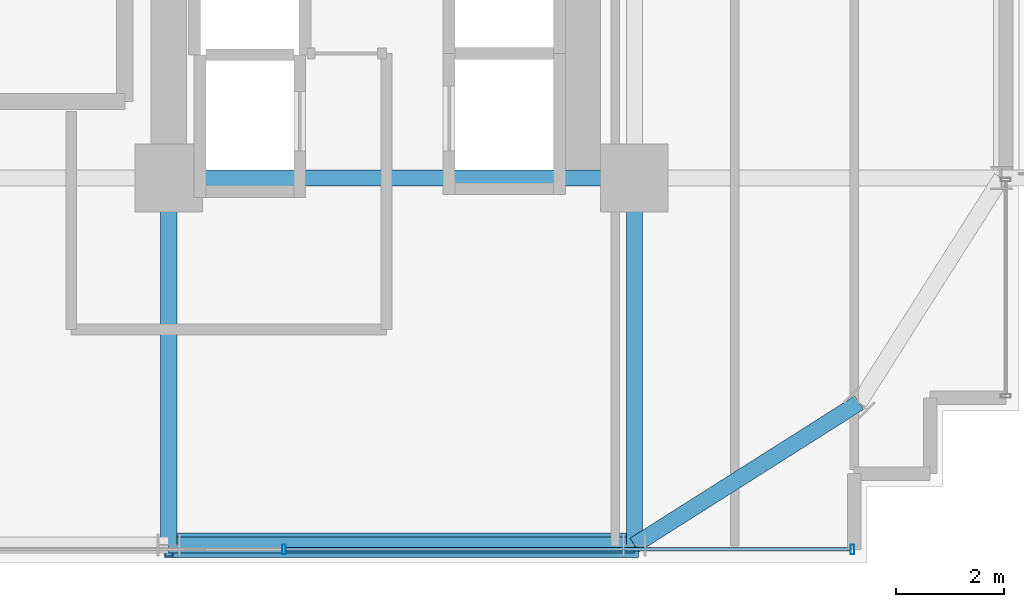
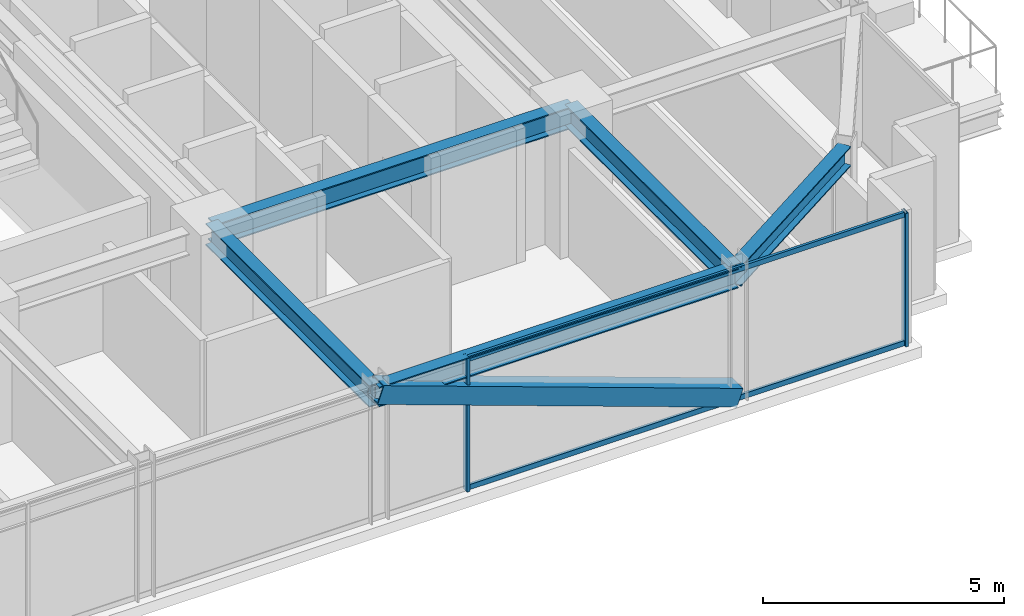
# One storey, part 10 of 34: 5 beams, 5 members, 1 element without a shape of its own.
"""IFC4 building model written with IfcOpenShell, lengths in metres."""

from ifc_helpers import new_model, si_unit, direction, frame, origin, origin_2d, place, context, subcontext, project, spatial, hollow_rectangle, i_section, extrude, source, transform, mapped, material, material_profile, profile_set, type_object, element, aggregate, save


model = new_model("IFC4")

# Units and contexts
model_context = context("Model", 3, precision=1e-05, world=origin(), true_north=direction((0.0, 1.0)))
body_context = subcontext(model_context, "Body", "Model", "MODEL_VIEW")
ifc_project = project(units=[si_unit("LENGTHUNIT", "METRE"), si_unit("AREAUNIT", "SQUARE_METRE"), si_unit("VOLUMEUNIT", "CUBIC_METRE"), si_unit("PLANEANGLEUNIT", "RADIAN"), si_unit("MASSUNIT", "GRAM", prefix="KILO")], contexts=[model_context])

# Site, building, storey
site_placement = place(None, origin())
site = spatial("IfcSite", under=ifc_project, at=site_placement, CompositionType="ELEMENT")
building_placement = place(site_placement, origin())
building = spatial("IfcBuilding", under=site, at=building_placement, Name="Nahalor Promenade Grand Hotel", CompositionType="ELEMENT")
storey_placement = place(building_placement, frame((0.0, 0.0, 99.25)))
storey = spatial("IfcBuildingStorey", under=building, at=storey_placement, Name="L24", CompositionType="ELEMENT", Elevation=99.25)

# Beams
ifc_material_1 = material(Name="Steel S355JR", Category="steel")
ifc_material_profile_1 = material_profile(ifc_material_1, i_section(OverallWidth=0.3, OverallDepth=0.5, WebThickness=0.0145, FlangeThickness=0.028, at=origin_2d()), Name="HEB 500")
ifc_profile_set_1 = profile_set([ifc_material_profile_1], Name="Steel S355JR")
beam_type_1 = type_object("IfcBeamType", Name="Beam-Spandrel-HEB500", PredefinedType="SPANDREL", material=ifc_profile_set_1)
shared_shape_1 = source(origin(), body_context, "Body", "SweptSolid", [
    extrude(i_section(OverallWidth=0.3, OverallDepth=0.5, WebThickness=0.0145, FlangeThickness=0.028, at=origin_2d()), origin(), (0.0, 0.0, 1.0), 8.60009765625),
])
beam_1_placement = place(storey_placement, frame((8.39990234375, -23.780029296875, 3.1298828125), z_axis=(1.0, 0.0, 0.0), x_axis=(0.0, 1.0, 0.0)))
element("IfcBeam", 1, at=beam_1_placement, inside=storey, type_object=beam_type_1, Name="BM-L24-SP-S-4", PredefinedType="SPANDREL", context=body_context, shape_type="MappedRepresentation", body=[
    mapped(shared_shape_1, transform((0.0, 0.0, 0.0), scale=1.0)),
])
shared_shape_2 = source(origin(), body_context, "Body", "SweptSolid", [
    extrude(i_section(OverallWidth=0.3, OverallDepth=0.5, WebThickness=0.0145, FlangeThickness=0.028, at=origin_2d()), origin(), (0.0, 0.0, 1.0), 4.9130859375),
])
beam_2_placement = place(storey_placement, frame((17.0, -23.780029296875, 3.1298828125), z_axis=(0.844648325505, 0.535321591403, 0.0), x_axis=(-0.535321591403, 0.844648325505, 0.0)))
element("IfcBeam", 2, at=beam_2_placement, inside=storey, type_object=beam_type_1, Name="BM-L24-SPC-SE-1", PredefinedType="SPANDREL", context=body_context, shape_type="MappedRepresentation", body=[
    mapped(shared_shape_2, transform((0.0, 0.0, 0.0), scale=1.0)),
])
ifc_material_profile_2 = material_profile(ifc_material_1, i_section(OverallWidth=0.3, OverallDepth=0.55, WebThickness=0.015, FlangeThickness=0.029, at=origin_2d()), Name="HEB 550")
ifc_profile_set_2 = profile_set([ifc_material_profile_2], Name="Steel S355JR")
beam_type_2 = type_object("IfcBeamType", Name="Beam-Girder-HEB550", PredefinedType="BEAM", material=ifc_profile_set_2)
shared_shape_3 = source(origin(), body_context, "Body", "SweptSolid", [
    extrude(i_section(OverallWidth=0.3, OverallDepth=0.55, WebThickness=0.015, FlangeThickness=0.029, at=origin_2d()), origin(), (0.0, 0.0, 1.0), 6.780029296875),
])
for number, where, z_axis, x_axis, name in (
    (3, (8.39990234375, -23.780029296875, 3.10498046875), (0.0, 1.0, 0.0), (-1.0, 0.0, 0.0), "BM-L24-GY-4-0"),
    (4, (17.0, -23.780029296875, 3.10498046875), (0.0, 1.0, 0.0), (-1.0, 0.0, 0.0), "BM-L24-GY-5-0"),
):
    element("IfcBeam", number, at=place(storey_placement, frame(where, z_axis=z_axis, x_axis=x_axis)), inside=storey, type_object=beam_type_2, Name=name, PredefinedType="BEAM", context=body_context, shape_type="MappedRepresentation", body=[
        mapped(shared_shape_3, transform((0.0, 0.0, 0.0), scale=1.0)),
    ])
shared_shape_4 = source(origin(), body_context, "Body", "SweptSolid", [
    extrude(i_section(OverallWidth=0.3, OverallDepth=0.55, WebThickness=0.015, FlangeThickness=0.029, at=origin_2d()), origin(), (0.0, 0.0, 1.0), 8.60009765625),
])
beam_3_placement = place(storey_placement, frame((8.39990234375, -17.0, 3.10498046875), z_axis=(1.0, 0.0, 0.0), x_axis=(0.0, 1.0, 0.0)))
element("IfcBeam", 5, at=beam_3_placement, inside=storey, type_object=beam_type_2, Name="BM-L24-GX-0-5", PredefinedType="BEAM", context=body_context, shape_type="MappedRepresentation", body=[
    mapped(shared_shape_4, transform((0.0, 0.0, 0.0), scale=1.0)),
])

# Member
ifc_material_2 = material(Name="Steel S355J2", Category="steel")
ifc_material_profile_3 = material_profile(ifc_material_2, hollow_rectangle(XDim=0.45, YDim=0.45, WallThickness=0.025, at=origin_2d()), Name="SHS 450x450x25")
ifc_profile_set_3 = profile_set([ifc_material_profile_3], Name="Steel S355J2")
member_type_1 = type_object("IfcMemberType", Name="Mem-ExoBrace-SHS450", PredefinedType="BRACE", material=ifc_profile_set_3)
shared_shape_5 = source(origin(), body_context, "Body", "SweptSolid", [
    extrude(hollow_rectangle(XDim=0.45, YDim=0.45, WallThickness=0.025, at=origin_2d()), origin(), (0.0, 0.0, 1.0), 9.135009765625),
])
member_1_placement = place(storey_placement, frame((17.0, -23.780029296875, 0.14990234375), z_axis=(-0.941442840152, 0.0, 0.337172624521), x_axis=(0.0, -1.0, 0.0)))
element("IfcMember", 6, at=member_1_placement, inside=storey, type_object=member_type_1, Name="EXO-L24-S-1", PredefinedType="BRACE", context=body_context, shape_type="MappedRepresentation", body=[
    mapped(shared_shape_5, transform((0.0, 0.0, 0.0), scale=1.0)),
])

# Curtain wall, members
ifc_material_3 = material(Name="Anodised Bronze Aluminium EN AW-6063 T6", Category="aluminium")
curtain_wall_type = type_object("IfcCurtainWallType", Name="CW2 Typical Hotel Flush Bronze Unitised Curtain Wall", PredefinedType="USERDEFINED", material=ifc_material_3)
curtain_wall_placement = place(storey_placement, origin())
curtain_wall = element("IfcCurtainWall", 7, at=curtain_wall_placement, inside=storey, type_object=curtain_wall_type, Name="L24 Curtain Wall CW-L24-S-1", ObjectType="UNITISED_CURTAIN_WALL", PredefinedType="USERDEFINED")
ifc_material_profile_4 = material_profile(ifc_material_3, hollow_rectangle(XDim=0.065, YDim=0.18, WallThickness=0.004, at=origin_2d()), Name="CWM 65x180x4")
ifc_profile_set_4 = profile_set([ifc_material_profile_4], Name="Anodised Bronze Aluminium EN AW-6063 T6")
member_type_2 = type_object("IfcMemberType", Name="CWM2 Typical Bronze Mullion 65x180", PredefinedType="MULLION", material=ifc_profile_set_4)
shared_shape_6 = source(origin(), body_context, "Body", "SweptSolid", [
    extrude(hollow_rectangle(XDim=0.065, YDim=0.18, WallThickness=0.004, at=origin_2d()), origin(), (0.0, 0.0, 1.0), 3.3798828125),
])
member_2_placement = place(storey_placement, frame((10.530029296875, -23.860107421875, 0.0), z_axis=(0.0, 0.0, 1.0), x_axis=(1.0, 0.0, 0.0)))
member_2 = element("IfcMember", 8, at=member_2_placement, type_object=member_type_2, Name="CW-L24-S-1 Mullion 3", PredefinedType="MULLION", context=body_context, shape_type="MappedRepresentation", body=[
    mapped(shared_shape_6, transform((0.0, 0.0, 0.0), scale=1.0)),
])
member_3_placement = place(storey_placement, frame((21.027587890625, -23.860107421875, 0.0), z_axis=(0.0, 0.0, 1.0), x_axis=(1.0, 0.0, 0.0)))
member_3 = element("IfcMember", 9, at=member_3_placement, type_object=member_type_2, Name="CW-L24-S-1 Mullion 4", PredefinedType="MULLION", context=body_context, shape_type="MappedRepresentation", body=[
    mapped(shared_shape_6, transform((0.0, 0.0, 0.0), scale=1.0)),
])
ifc_material_profile_5 = material_profile(ifc_material_3, hollow_rectangle(XDim=0.065, YDim=0.13, WallThickness=0.004, at=origin_2d()), Name="CWT 65x130x4")
ifc_profile_set_5 = profile_set([ifc_material_profile_5], Name="Anodised Bronze Aluminium EN AW-6063 T6")
member_type_3 = type_object("IfcMemberType", Name="CWT2 Typical Bronze Transom 65x130", PredefinedType="USERDEFINED", material=ifc_profile_set_5)
shared_shape_7 = source(origin(), body_context, "Body", "SweptSolid", [
    extrude(hollow_rectangle(XDim=0.065, YDim=0.13, WallThickness=0.004, at=origin_2d()), origin(), (0.0, 0.0, 1.0), 10.4326171875),
])
member_4_placement = place(storey_placement, frame((10.5625, -23.860107421875, 0.06494140625), z_axis=(1.0, 0.0, 0.0), x_axis=(0.0, 1.0, 0.0)))
member_4 = element("IfcMember", 10, at=member_4_placement, type_object=member_type_3, Name="CW-L24-S-1 Transom 3-0", ObjectType="TRANSOM", PredefinedType="USERDEFINED", context=body_context, shape_type="MappedRepresentation", body=[
    mapped(shared_shape_7, transform((0.0, 0.0, 0.0), scale=1.0)),
])
member_5_placement = place(storey_placement, frame((10.5625, -23.860107421875, 3.31494140625), z_axis=(1.0, 0.0, 0.0), x_axis=(0.0, 1.0, 0.0)))
member_5 = element("IfcMember", 11, at=member_5_placement, type_object=member_type_3, Name="CW-L24-S-1 Transom 3-1", ObjectType="TRANSOM", PredefinedType="USERDEFINED", context=body_context, shape_type="MappedRepresentation", body=[
    mapped(shared_shape_7, transform((0.0, 0.0, 0.0), scale=1.0)),
])
aggregate(curtain_wall, [member_2, member_3, member_4, member_5])

save(model, "model.ifc")
